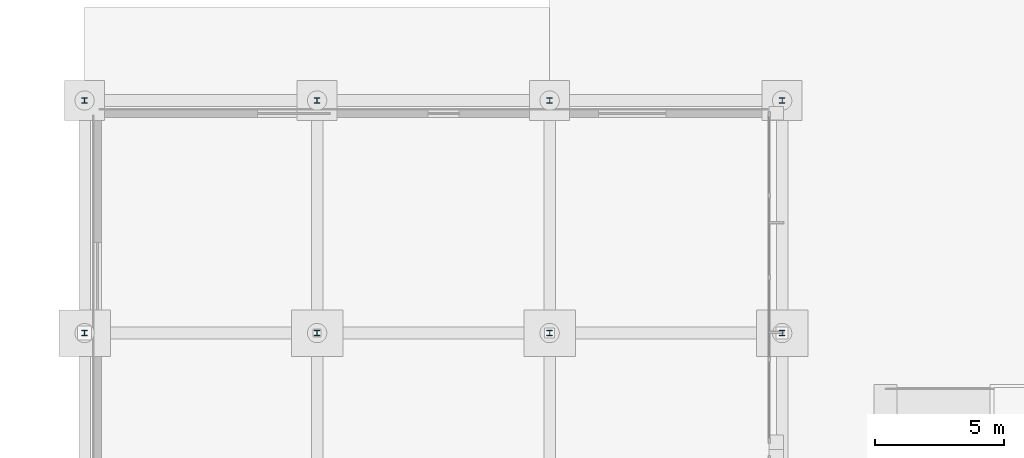
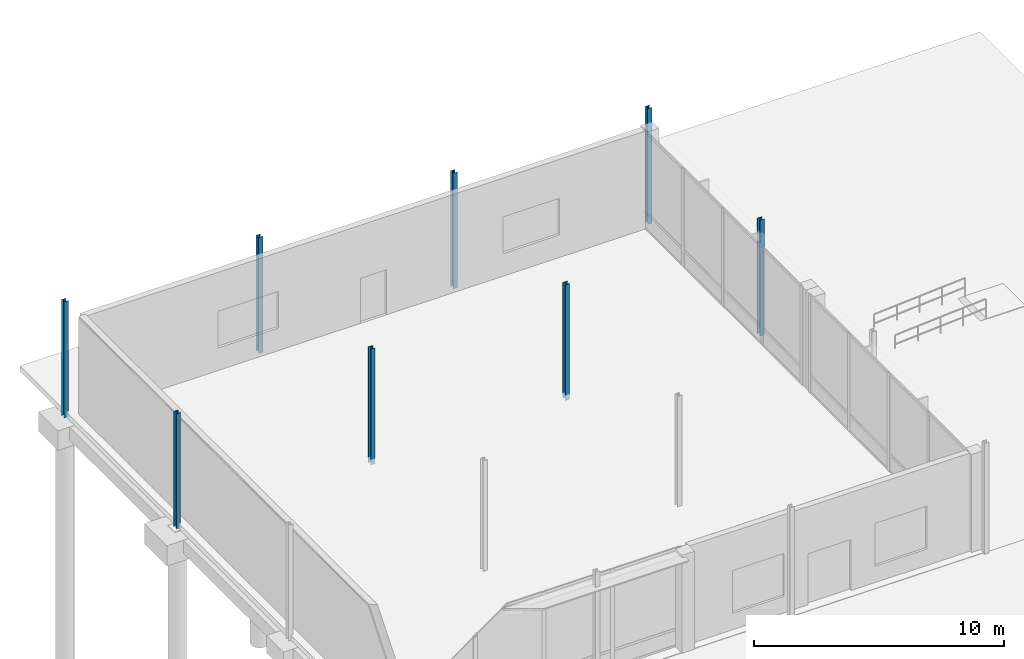
# One storey, part 18 of 180: 8 columns.
"""IFC4 building model written with IfcOpenShell, lengths in metres."""

from ifc_helpers import new_model, si_unit, direction, frame, origin, origin_2d, place, context, subcontext, project, spatial, i_section, extrude, material, material_profile, profile_set, type_object, element, save


model = new_model("IFC4")

# Units and contexts
model_context = context("Model", 3, precision=1e-05, world=origin(), true_north=direction((0.0, 1.0)))
body_context = subcontext(model_context, "Body", "Model", "MODEL_VIEW")
ifc_project = project(units=[si_unit("LENGTHUNIT", "METRE"), si_unit("AREAUNIT", "SQUARE_METRE"), si_unit("VOLUMEUNIT", "CUBIC_METRE"), si_unit("PLANEANGLEUNIT", "RADIAN"), si_unit("MASSUNIT", "GRAM", prefix="KILO"), si_unit("THERMODYNAMICTEMPERATUREUNIT", "KELVIN"), si_unit("POWERUNIT", "WATT")], contexts=[model_context])

# Site, building, storey
site_placement = place(None, origin())
site = spatial("IfcSite", under=ifc_project, at=site_placement, CompositionType="ELEMENT")
building_placement = place(site_placement, origin())
building = spatial("IfcBuilding", under=site, at=building_placement, Name="Tallowbark Science Centre", CompositionType="ELEMENT")
storey_placement = place(building_placement, origin())
storey = spatial("IfcBuildingStorey", under=building, at=storey_placement, Name="L00", CompositionType="ELEMENT", Elevation=0.0)

# Columns
ifc_material = material(Name="Structural Steel Grade 300PLUS (300 MPa)", Category="steel")
ifc_material_profile = material_profile(ifc_material, i_section(OverallWidth=0.205078125, OverallDepth=0.209716796875, WebThickness=0.00927734375, FlangeThickness=0.01416015625, FilletRadius=0.011474609375, at=origin_2d()), Name="200UC59.5")
ifc_profile_set = profile_set([ifc_material_profile], Name="Structural Steel Grade 300PLUS (300 MPa)")
column_type = type_object("IfcColumnType", Name="COL-UC200", PredefinedType="COLUMN", material=ifc_profile_set)
for number, where, z_axis, x_axis, name in (
    (1, (0.0, 99.0, -0.260009765625), (0.0, 0.0, 1.0), (1.0, 0.0, 0.0), "Column PRK-0_2 L00"),
    (2, (0.0, 108.0, -0.260009765625), (0.0, 0.0, 1.0), (1.0, 0.0, 0.0), "Column PRK-0_3 L00"),
    (3, (9.0, 99.0, -0.260009765625), (0.0, 0.0, 1.0), (1.0, 0.0, 0.0), "Column PRK-1_2 L00"),
    (4, (9.0, 108.0, -0.260009765625), (0.0, 0.0, 1.0), (1.0, 0.0, 0.0), "Column PRK-1_3 L00"),
    (5, (18.0, 99.0, -0.260009765625), (0.0, 0.0, 1.0), (1.0, 0.0, 0.0), "Column PRK-2_2 L00"),
    (6, (18.0, 108.0, -0.260009765625), (0.0, 0.0, 1.0), (1.0, 0.0, 0.0), "Column PRK-2_3 L00"),
    (7, (27.0, 99.0, -0.260009765625), (0.0, 0.0, 1.0), (1.0, 0.0, 0.0), "Column PRK-3_2 L00"),
    (8, (27.0, 108.0, -0.260009765625), (0.0, 0.0, 1.0), (1.0, 0.0, 0.0), "Column PRK-3_3 L00"),
):
    element("IfcColumn", number, at=place(storey_placement, frame(where, z_axis=z_axis, x_axis=x_axis)), inside=storey, type_object=column_type, Name=name, PredefinedType="COLUMN", context=body_context, shape_type="SweptSolid", body=[
        extrude(i_section(OverallWidth=0.205078125, OverallDepth=0.209716796875, WebThickness=0.00927734375, FlangeThickness=0.01416015625, FilletRadius=0.011474609375, at=origin_2d()), origin(), (0.0, 0.0, 1.0), 5.659912109375),
    ])

save(model, "model.ifc")
